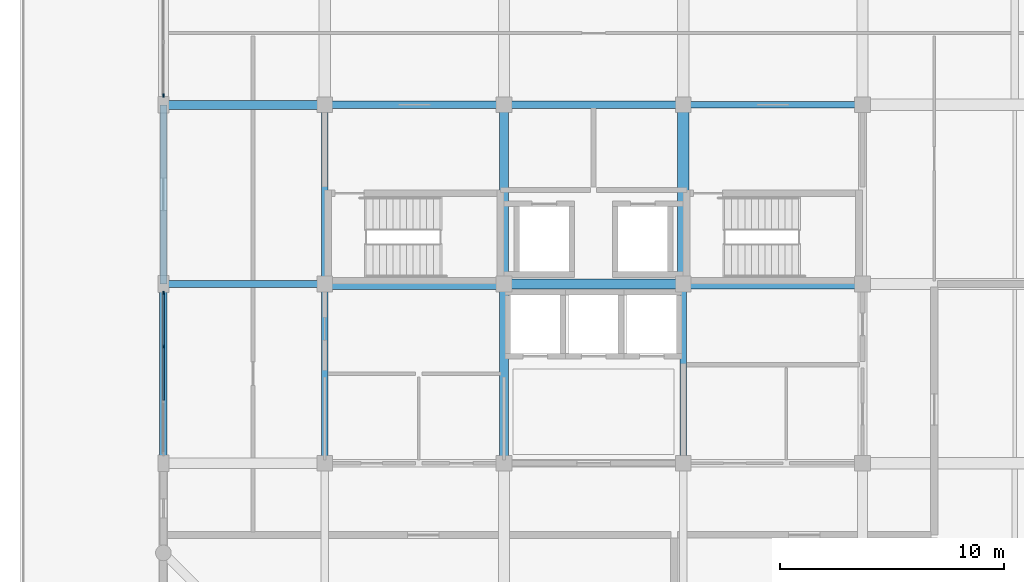
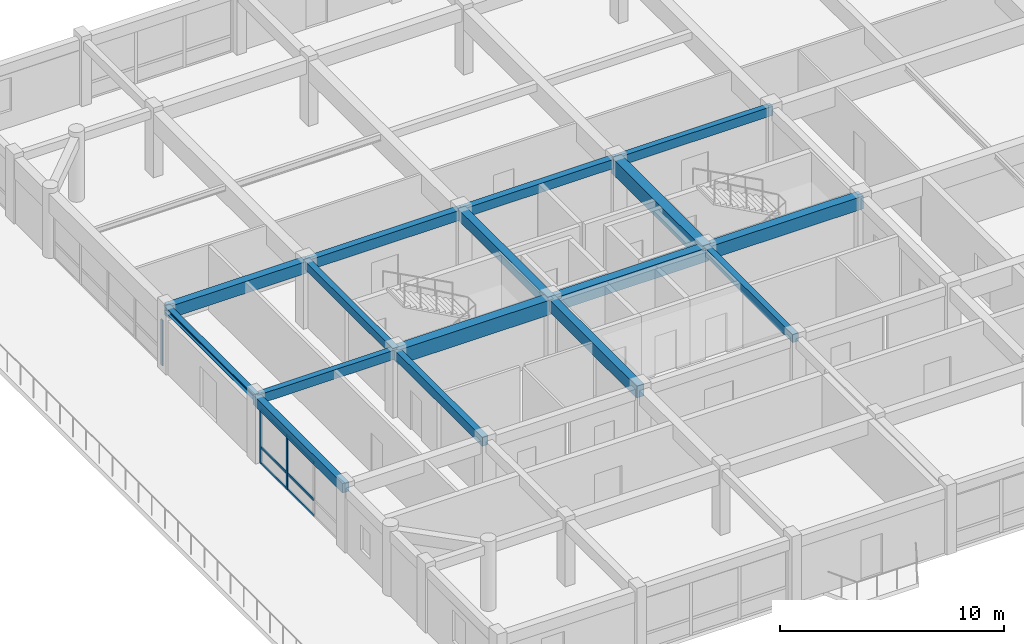
# One storey, part 3 of 13: 16 beams, 9 members, 2 elements without a shape of their own.
"""IFC4 building model written with IfcOpenShell, lengths in metres."""

from ifc_helpers import new_model, si_unit, direction, frame, origin, origin_2d, place, context, subcontext, project, spatial, rectangle, i_section, extrude, material, material_profile, profile_set, type_object, element, aggregate, save


model = new_model("IFC4")

# Units and contexts
model_context = context("Model", 3, precision=1e-05, world=origin(), true_north=direction((0.0, 1.0)))
body_context = subcontext(model_context, "Body", "Model", "MODEL_VIEW")
ifc_project = project(units=[si_unit("LENGTHUNIT", "METRE"), si_unit("AREAUNIT", "SQUARE_METRE"), si_unit("VOLUMEUNIT", "CUBIC_METRE"), si_unit("PLANEANGLEUNIT", "RADIAN"), si_unit("MASSUNIT", "GRAM", prefix="KILO")], contexts=[model_context])

# Site, building, storey
site_placement = place(None, origin())
site = spatial("IfcSite", under=ifc_project, at=site_placement, CompositionType="ELEMENT")
building_placement = place(site_placement, origin())
building = spatial("IfcBuilding", under=site, at=building_placement, Name="Vellmiral Cinema and Media Centre", CompositionType="ELEMENT")
storey_placement = place(building_placement, frame((0.0, 0.0, 39.5)))
storey = spatial("IfcBuildingStorey", under=building, at=storey_placement, Name="L09", CompositionType="ELEMENT", Elevation=39.5)

# Beams
ifc_material_1 = material(Name="Concrete C40/50", Category="concrete")
ifc_material_profile_1 = material_profile(ifc_material_1, rectangle(XDim=0.300048828125, YDim=0.449951171875, at=origin_2d()), Name="RC 300x450")
ifc_profile_set_1 = profile_set([ifc_material_profile_1], Name="Concrete C40/50")
beam_type_1 = type_object("IfcBeamType", Name="BM-RC-300x450", PredefinedType="BEAM", material=ifc_profile_set_1)
for number, where, z_axis, x_axis, name in (
    (1, (124.0, 87.199951171875, 3.31005859375), (0.0, 1.0, 0.0), (-1.0, 0.0, 0.0), "Grid Beam L09-Y051"),
    (2, (140.0, 79.199951171875, 3.31005859375), (0.0, 1.0, 0.0), (-1.0, 0.0, 0.0), "Grid Beam L09-Y062"),
):
    element("IfcBeam", number, at=place(storey_placement, frame(where, z_axis=z_axis, x_axis=x_axis)), inside=storey, type_object=beam_type_1, Name=name, PredefinedType="BEAM", context=body_context, shape_type="SweptSolid", body=[
        extrude(rectangle(XDim=0.300048828125, YDim=0.449951171875, at=origin_2d()), origin(), (0.0, 0.0, 1.0), 8.0),
    ])
ifc_material_2 = material(Name="Concrete C40/50", Category="concrete")
ifc_material_profile_2 = material_profile(ifc_material_2, rectangle(XDim=0.300048828125, YDim=0.5, at=origin_2d()), Name="RC 300x500")
ifc_profile_set_2 = profile_set([ifc_material_profile_2], Name="Concrete C40/50")
beam_type_2 = type_object("IfcBeamType", Name="BM-RC-300x500", PredefinedType="BEAM", material=ifc_profile_set_2)
beam_1_placement = place(storey_placement, frame((116.800048828125, 87.199951171875, 3.284912109375), z_axis=(1.0, 0.0, 0.0), x_axis=(0.0, 1.0, 0.0)))
element("IfcBeam", 3, at=beam_1_placement, inside=storey, type_object=beam_type_2, Name="Grid Beam L09-X019", PredefinedType="BEAM", context=body_context, shape_type="SweptSolid", body=[
    extrude(rectangle(XDim=0.300048828125, YDim=0.5, at=origin_2d()), origin(), (0.0, 0.0, 1.0), 7.199951171875),
])
for number, where, z_axis, x_axis, name in (
    (4, (140.0, 95.199951171875, 3.284912109375), (1.0, 0.0, 0.0), (0.0, 1.0, 0.0), "Grid Beam L09-X028"),
    (5, (124.0, 79.199951171875, 3.284912109375), (0.0, 1.0, 0.0), (-1.0, 0.0, 0.0), "Grid Beam L09-Y050"),
):
    element("IfcBeam", number, at=place(storey_placement, frame(where, z_axis=z_axis, x_axis=x_axis)), inside=storey, type_object=beam_type_2, Name=name, PredefinedType="BEAM", context=body_context, shape_type="SweptSolid", body=[
        extrude(rectangle(XDim=0.300048828125, YDim=0.5, at=origin_2d()), origin(), (0.0, 0.0, 1.0), 8.0),
    ])
ifc_material_3 = material(Name="Concrete C40/50", Category="concrete")
ifc_material_profile_3 = material_profile(ifc_material_3, rectangle(XDim=0.35009765625, YDim=0.5, at=origin_2d()), Name="RC 350x500")
ifc_profile_set_3 = profile_set([ifc_material_profile_3], Name="Concrete C40/50")
beam_type_3 = type_object("IfcBeamType", Name="BM-RC-350x500", PredefinedType="BEAM", material=ifc_profile_set_3)
beam_2_placement = place(storey_placement, frame((132.0, 95.199951171875, 3.284912109375), z_axis=(1.0, 0.0, 0.0), x_axis=(0.0, 1.0, 0.0)))
element("IfcBeam", 6, at=beam_2_placement, inside=storey, type_object=beam_type_3, Name="Grid Beam L09-X027", PredefinedType="BEAM", context=body_context, shape_type="SweptSolid", body=[
    extrude(rectangle(XDim=0.35009765625, YDim=0.5, at=origin_2d()), origin(), (0.0, 0.0, 1.0), 8.0),
])
ifc_material_4 = material(Name="Concrete C40/50", Category="concrete")
ifc_material_profile_4 = material_profile(ifc_material_4, rectangle(XDim=0.35009765625, YDim=0.550048828125, at=origin_2d()), Name="RC 350x550")
ifc_profile_set_4 = profile_set([ifc_material_profile_4], Name="Concrete C40/50")
beam_type_4 = type_object("IfcBeamType", Name="BM-RC-350x550", PredefinedType="BEAM", material=ifc_profile_set_4)
beam_3_placement = place(storey_placement, frame((124.0, 95.199951171875, 3.260009765625), z_axis=(1.0, 0.0, 0.0), x_axis=(0.0, 1.0, 0.0)))
element("IfcBeam", 7, at=beam_3_placement, inside=storey, type_object=beam_type_4, Name="Grid Beam L09-X026", PredefinedType="BEAM", context=body_context, shape_type="SweptSolid", body=[
    extrude(rectangle(XDim=0.35009765625, YDim=0.550048828125, at=origin_2d()), origin(), (0.0, 0.0, 1.0), 8.0),
])
ifc_material_5 = material(Name="Concrete C40/50", Category="concrete")
ifc_material_profile_5 = material_profile(ifc_material_5, rectangle(XDim=0.39990234375, YDim=0.60009765625, at=origin_2d()), Name="RC 400x600")
ifc_profile_set_5 = profile_set([ifc_material_profile_5], Name="Concrete C40/50")
beam_type_5 = type_object("IfcBeamType", Name="BM-RC-400x600", PredefinedType="BEAM", material=ifc_profile_set_5)
beam_4_placement = place(storey_placement, frame((132.0, 87.199951171875, 3.235107421875), z_axis=(0.0, 1.0, 0.0), x_axis=(-1.0, 0.0, 0.0)))
element("IfcBeam", 8, at=beam_4_placement, inside=storey, type_object=beam_type_5, Name="Grid Beam L09-Y057", PredefinedType="BEAM", context=body_context, shape_type="SweptSolid", body=[
    extrude(rectangle(XDim=0.39990234375, YDim=0.60009765625, at=origin_2d()), origin(), (0.0, 0.0, 1.0), 8.0),
])
ifc_material_6 = material(Name="Concrete C40/50", Category="concrete")
ifc_material_profile_6 = material_profile(ifc_material_6, rectangle(XDim=0.39990234375, YDim=0.64990234375, at=origin_2d()), Name="RC 400x650")
ifc_profile_set_6 = profile_set([ifc_material_profile_6], Name="Concrete C40/50")
beam_type_6 = type_object("IfcBeamType", Name="BM-RC-400x650", PredefinedType="BEAM", material=ifc_profile_set_6)
beam_5_placement = place(storey_placement, frame((116.800048828125, 95.199951171875, 3.2099609375), z_axis=(1.0, 0.0, 0.0), x_axis=(0.0, 1.0, 0.0)))
element("IfcBeam", 9, at=beam_5_placement, inside=storey, type_object=beam_type_6, Name="Grid Beam L09-X025", PredefinedType="BEAM", context=body_context, shape_type="SweptSolid", body=[
    extrude(rectangle(XDim=0.39990234375, YDim=0.64990234375, at=origin_2d()), origin(), (0.0, 0.0, 1.0), 7.199951171875),
])
beam_6_placement = place(storey_placement, frame((132.0, 79.199951171875, 3.2099609375), z_axis=(0.0, 1.0, 0.0), x_axis=(-1.0, 0.0, 0.0)))
element("IfcBeam", 10, at=beam_6_placement, inside=storey, type_object=beam_type_6, Name="Grid Beam L09-Y056", PredefinedType="BEAM", context=body_context, shape_type="SweptSolid", body=[
    extrude(rectangle(XDim=0.39990234375, YDim=0.64990234375, at=origin_2d()), origin(), (0.0, 0.0, 1.0), 8.0),
])
ifc_material_7 = material(Name="Concrete C40/50", Category="concrete")
ifc_material_profile_7 = material_profile(ifc_material_7, rectangle(XDim=0.449951171875, YDim=0.699951171875, at=origin_2d()), Name="RC 450x700")
ifc_profile_set_7 = profile_set([ifc_material_profile_7], Name="Concrete C40/50")
beam_type_7 = type_object("IfcBeamType", Name="BM-RC-450x700", PredefinedType="BEAM", material=ifc_profile_set_7)
beam_7_placement = place(storey_placement, frame((140.0, 87.199951171875, 3.18505859375), z_axis=(1.0, 0.0, 0.0), x_axis=(0.0, 1.0, 0.0)))
element("IfcBeam", 11, at=beam_7_placement, inside=storey, type_object=beam_type_7, Name="Grid Beam L09-X022", PredefinedType="BEAM", context=body_context, shape_type="SweptSolid", body=[
    extrude(rectangle(XDim=0.449951171875, YDim=0.699951171875, at=origin_2d()), origin(), (0.0, 0.0, 1.0), 8.0),
])
ifc_material_8 = material(Name="Concrete C40/50", Category="concrete")
ifc_material_profile_8 = material_profile(ifc_material_8, rectangle(XDim=0.449951171875, YDim=0.75, at=origin_2d()), Name="RC 450x750")
ifc_profile_set_8 = profile_set([ifc_material_profile_8], Name="Concrete C40/50")
beam_type_8 = type_object("IfcBeamType", Name="BM-RC-450x750", PredefinedType="BEAM", material=ifc_profile_set_8)
beam_8_placement = place(storey_placement, frame((132.0, 87.199951171875, 3.159912109375), z_axis=(1.0, 0.0, 0.0), x_axis=(0.0, 1.0, 0.0)))
element("IfcBeam", 12, at=beam_8_placement, inside=storey, type_object=beam_type_8, Name="Grid Beam L09-X021", PredefinedType="BEAM", context=body_context, shape_type="SweptSolid", body=[
    extrude(rectangle(XDim=0.449951171875, YDim=0.75, at=origin_2d()), origin(), (0.0, 0.0, 1.0), 8.0),
])
ifc_material_9 = material(Name="Concrete C40/50", Category="concrete")
ifc_material_profile_9 = material_profile(ifc_material_9, rectangle(XDim=0.5, YDim=0.800048828125, at=origin_2d()), Name="RC 500x800")
ifc_profile_set_9 = profile_set([ifc_material_profile_9], Name="Concrete C40/50")
beam_type_9 = type_object("IfcBeamType", Name="BM-RC-500x800", PredefinedType="BEAM", material=ifc_profile_set_9)
beam_9_placement = place(storey_placement, frame((124.0, 87.199951171875, 3.135009765625), z_axis=(1.0, 0.0, 0.0), x_axis=(0.0, 1.0, 0.0)))
element("IfcBeam", 13, at=beam_9_placement, inside=storey, type_object=beam_type_9, Name="Grid Beam L09-X020", PredefinedType="BEAM", context=body_context, shape_type="SweptSolid", body=[
    extrude(rectangle(XDim=0.5, YDim=0.800048828125, at=origin_2d()), origin(), (0.0, 0.0, 1.0), 8.0),
])
ifc_material_10 = material(Name="Concrete C40/50", Category="concrete")
ifc_material_profile_10 = material_profile(ifc_material_10, rectangle(XDim=0.5, YDim=0.85009765625, at=origin_2d()), Name="RC 500x850")
ifc_profile_set_10 = profile_set([ifc_material_profile_10], Name="Concrete C40/50")
beam_type_10 = type_object("IfcBeamType", Name="BM-RC-500x850", PredefinedType="BEAM", material=ifc_profile_set_10)
beam_10_placement = place(storey_placement, frame((140.0, 87.199951171875, 3.110107421875), z_axis=(0.0, 1.0, 0.0), x_axis=(-1.0, 0.0, 0.0)))
element("IfcBeam", 14, at=beam_10_placement, inside=storey, type_object=beam_type_10, Name="Grid Beam L09-Y063", PredefinedType="BEAM", context=body_context, shape_type="SweptSolid", body=[
    extrude(rectangle(XDim=0.5, YDim=0.85009765625, at=origin_2d()), origin(), (0.0, 0.0, 1.0), 8.0),
])

# Curtain wall, member
ifc_material_11 = material(Name="Thermally Broken Aluminium and Triple Glazing", Category="aluminium")
curtain_wall_type = type_object("IfcCurtainWallType", Name="CW-TOWER-MID-W", PredefinedType="USERDEFINED", material=ifc_material_11)
curtain_wall_1_placement = place(storey_placement, origin())
curtain_wall_1 = element("IfcCurtainWall", 15, at=curtain_wall_1_placement, inside=storey, type_object=curtain_wall_type, Name="Curtain Wall L09-B024", ObjectType="UNITISED CURTAIN WALL", PredefinedType="USERDEFINED")
ifc_material_12 = material(Name="Thermally Broken Anodised Aluminium", Category="aluminium")
ifc_material_profile_11 = material_profile(ifc_material_12, rectangle(XDim=0.06494140625, YDim=0.159912109375, at=origin_2d()), Name="MULL 65x160")
ifc_profile_set_11 = profile_set([ifc_material_profile_11], Name="Thermally Broken Anodised Aluminium")
member_type_1 = type_object("IfcMemberType", Name="CWM-65x160", PredefinedType="MULLION", material=ifc_profile_set_11)
member_1_placement = place(storey_placement, frame((116.800048828125, 95.607421875, 0.0), z_axis=(0.0, 0.0, 1.0), x_axis=(1.0, 0.0, 0.0)))
member_1 = element("IfcMember", 16, at=member_1_placement, type_object=member_type_1, Name="CW-08 mullion 5", PredefinedType="MULLION", context=body_context, shape_type="SweptSolid", body=[
    extrude(rectangle(XDim=0.06494140625, YDim=0.159912109375, at=origin_2d()), origin(), (0.0, 0.0, 1.0), 2.47509765625),
])
aggregate(curtain_wall_1, [member_1])

# Curtain wall, members
curtain_wall_2_placement = place(storey_placement, origin())
curtain_wall_2 = element("IfcCurtainWall", 17, at=curtain_wall_2_placement, inside=storey, type_object=curtain_wall_type, Name="Curtain Wall L09-B026", ObjectType="UNITISED CURTAIN WALL", PredefinedType="USERDEFINED")
member_2_placement = place(storey_placement, frame((116.800048828125, 86.79248046875, 0.0), z_axis=(0.0, 0.0, 1.0), x_axis=(1.0, 0.0, 0.0)))
member_2 = element("IfcMember", 18, at=member_2_placement, type_object=member_type_1, Name="CW-08 mullion 1", PredefinedType="MULLION", context=body_context, shape_type="SweptSolid", body=[
    extrude(rectangle(XDim=0.06494140625, YDim=0.159912109375, at=origin_2d()), origin(), (0.0, 0.0, 1.0), 2.93994140625),
])
member_3_placement = place(storey_placement, frame((116.800048828125, 84.408447265625, 0.0), z_axis=(0.0, 0.0, 1.0), x_axis=(1.0, 0.0, 0.0)))
member_3 = element("IfcMember", 19, at=member_3_placement, type_object=member_type_1, Name="CW-08 mullion 2", PredefinedType="MULLION", context=body_context, shape_type="SweptSolid", body=[
    extrude(rectangle(XDim=0.06494140625, YDim=0.159912109375, at=origin_2d()), origin(), (0.0, 0.0, 1.0), 2.93994140625),
])
ifc_material_13 = material(Name="Thermally Broken Anodised Aluminium", Category="aluminium")
ifc_material_profile_12 = material_profile(ifc_material_13, rectangle(XDim=0.06494140625, YDim=0.135009765625, at=origin_2d()), Name="MULL 65x135")
ifc_profile_set_12 = profile_set([ifc_material_profile_12], Name="Thermally Broken Anodised Aluminium")
member_type_2 = type_object("IfcMemberType", Name="CWT-65x135", PredefinedType="USERDEFINED", material=ifc_profile_set_12)
member_4_placement = place(storey_placement, frame((116.800048828125, 86.760009765625, 0.032470703125), z_axis=(0.0, -1.0, 0.0), x_axis=(1.0, 0.0, 0.0)))
member_4 = element("IfcMember", 20, at=member_4_placement, type_object=member_type_2, Name="CW-08 transom 1.1", ObjectType="TRANSOM", PredefinedType="USERDEFINED", context=body_context, shape_type="SweptSolid", body=[
    extrude(rectangle(XDim=0.06494140625, YDim=0.135009765625, at=origin_2d()), origin(), (0.0, 0.0, 1.0), 2.319091796875),
])
member_5_placement = place(storey_placement, frame((116.800048828125, 86.760009765625, 0.89990234375), z_axis=(0.0, -1.0, 0.0), x_axis=(1.0, 0.0, 0.0)))
member_5 = element("IfcMember", 21, at=member_5_placement, type_object=member_type_2, Name="CW-08 transom 1.2", ObjectType="TRANSOM", PredefinedType="USERDEFINED", context=body_context, shape_type="SweptSolid", body=[
    extrude(rectangle(XDim=0.06494140625, YDim=0.135009765625, at=origin_2d()), origin(), (0.0, 0.0, 1.0), 2.319091796875),
])
member_6_placement = place(storey_placement, frame((116.800048828125, 86.760009765625, 2.907470703125), z_axis=(0.0, -1.0, 0.0), x_axis=(1.0, 0.0, 0.0)))
member_6 = element("IfcMember", 22, at=member_6_placement, type_object=member_type_2, Name="CW-08 transom 1.3", ObjectType="TRANSOM", PredefinedType="USERDEFINED", context=body_context, shape_type="SweptSolid", body=[
    extrude(rectangle(XDim=0.06494140625, YDim=0.135009765625, at=origin_2d()), origin(), (0.0, 0.0, 1.0), 2.319091796875),
])
member_7_placement = place(storey_placement, frame((116.800048828125, 84.375732421875, 0.032470703125), z_axis=(0.0, -1.0, 0.0), x_axis=(1.0, 0.0, 0.0)))
member_7 = element("IfcMember", 23, at=member_7_placement, type_object=member_type_2, Name="CW-08 transom 2.1", ObjectType="TRANSOM", PredefinedType="USERDEFINED", context=body_context, shape_type="SweptSolid", body=[
    extrude(rectangle(XDim=0.06494140625, YDim=0.135009765625, at=origin_2d()), origin(), (0.0, 0.0, 1.0), 2.3515625),
])
member_8_placement = place(storey_placement, frame((116.800048828125, 84.375732421875, 0.89990234375), z_axis=(0.0, -1.0, 0.0), x_axis=(1.0, 0.0, 0.0)))
member_8 = element("IfcMember", 24, at=member_8_placement, type_object=member_type_2, Name="CW-08 transom 2.2", ObjectType="TRANSOM", PredefinedType="USERDEFINED", context=body_context, shape_type="SweptSolid", body=[
    extrude(rectangle(XDim=0.06494140625, YDim=0.135009765625, at=origin_2d()), origin(), (0.0, 0.0, 1.0), 2.3515625),
])
member_9_placement = place(storey_placement, frame((116.800048828125, 84.375732421875, 2.907470703125), z_axis=(0.0, -1.0, 0.0), x_axis=(1.0, 0.0, 0.0)))
member_9 = element("IfcMember", 25, at=member_9_placement, type_object=member_type_2, Name="CW-08 transom 2.3", ObjectType="TRANSOM", PredefinedType="USERDEFINED", context=body_context, shape_type="SweptSolid", body=[
    extrude(rectangle(XDim=0.06494140625, YDim=0.135009765625, at=origin_2d()), origin(), (0.0, 0.0, 1.0), 2.3515625),
])
aggregate(curtain_wall_2, [member_2, member_3, member_4, member_5, member_6, member_7, member_8, member_9])

# Beams
ifc_material_14 = material(Name="Steel S355", Category="steel")
ifc_material_profile_13 = material_profile(ifc_material_14, i_section(OverallWidth=0.300048828125, OverallDepth=0.300048828125, WebThickness=0.010986328125, FlangeThickness=0.01904296875, FilletRadius=0.027099609375, at=origin_2d()), Name="HEB 300")
ifc_profile_set_13 = profile_set([ifc_material_profile_13], Name="Steel S355")
beam_type_11 = type_object("IfcBeamType", Name="SBM-HEB300", PredefinedType="SPANDREL", material=ifc_profile_set_13)
beam_11_placement = place(storey_placement, frame((116.800048828125, 87.199951171875, 3.385009765625), z_axis=(0.0, 1.0, 0.0), x_axis=(-1.0, 0.0, 0.0)))
element("IfcBeam", 26, at=beam_11_placement, inside=storey, type_object=beam_type_11, Name="Grid Beam L09-Y045", PredefinedType="SPANDREL", context=body_context, shape_type="SweptSolid", body=[
    extrude(i_section(OverallWidth=0.300048828125, OverallDepth=0.300048828125, WebThickness=0.010986328125, FlangeThickness=0.01904296875, FilletRadius=0.027099609375, at=origin_2d()), origin(), (0.0, 0.0, 1.0), 8.0),
])
ifc_material_15 = material(Name="Vosges Red Sandstone Masonry", Category="masonry")
ifc_material_profile_14 = material_profile(ifc_material_15, rectangle(XDim=0.340087890625, YDim=0.52001953125, at=origin_2d()), Name="SAND 340x520")
ifc_profile_set_14 = profile_set([ifc_material_profile_14], Name="Vosges Red Sandstone Masonry")
beam_type_12 = type_object("IfcBeamType", Name="SPD-SAND-340x520", PredefinedType="SPANDREL", material=ifc_profile_set_14)
beam_12_placement = place(storey_placement, frame((116.800048828125, 79.199951171875, 3.27490234375), z_axis=(0.0, 1.0, 0.0), x_axis=(-1.0, 0.0, 0.0)))
element("IfcBeam", 27, at=beam_12_placement, inside=storey, type_object=beam_type_12, Name="Grid Beam L09-Y044", PredefinedType="SPANDREL", context=body_context, shape_type="SweptSolid", body=[
    extrude(rectangle(XDim=0.340087890625, YDim=0.52001953125, at=origin_2d()), origin(), (0.0, 0.0, 1.0), 8.0),
])

save(model, "model.ifc")
